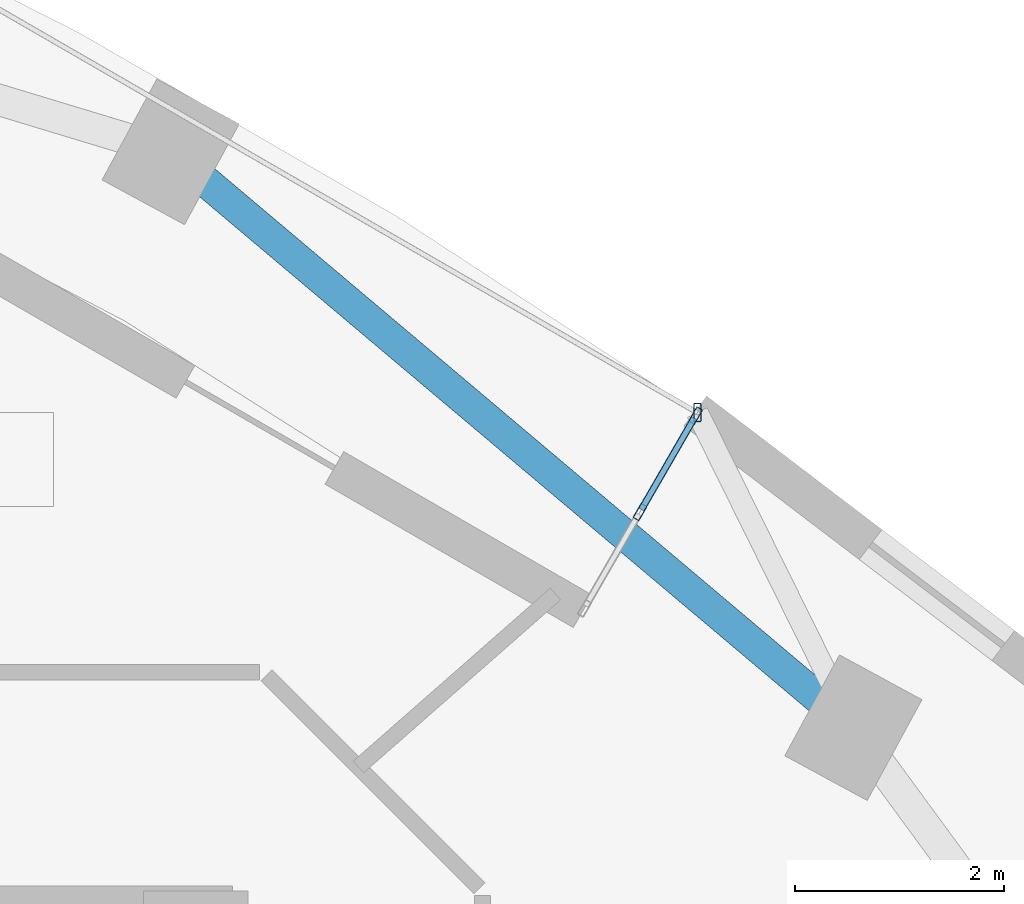
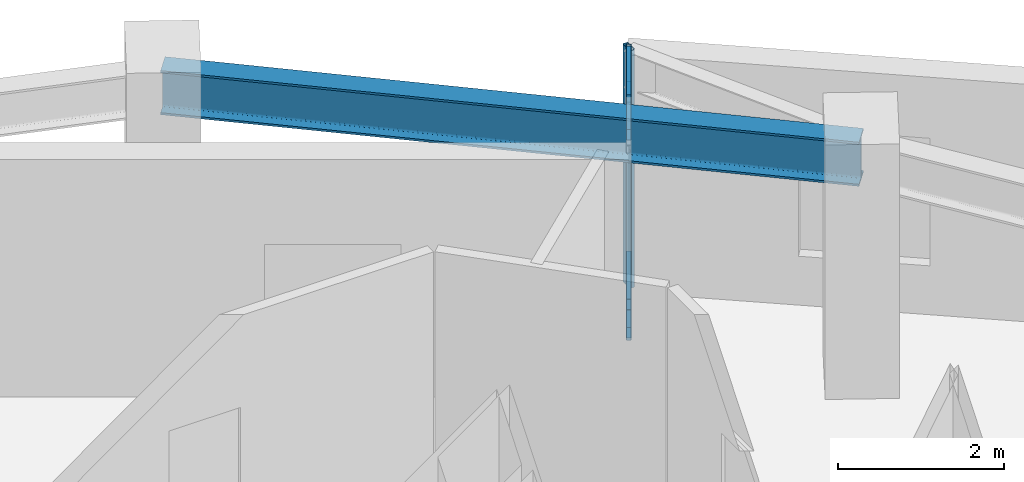
# One storey, part 5 of 14: 7 members, 1 beam, 1 element without a shape of its own.
"""IFC4 building model written with IfcOpenShell, lengths in metres."""

from ifc_helpers import new_model, si_unit, direction, frame, origin, origin_2d, place, context, subcontext, project, spatial, hollow_rectangle, i_section, extrude, material, layer, layer_set, material_profile, profile_set, type_object, element, aggregate, save


model = new_model("IFC4")

# Units and contexts
model_context = context("Model", 3, precision=1e-05, world=origin(), true_north=direction((0.0, 1.0)))
body_context = subcontext(model_context, "Body", "Model", "MODEL_VIEW")
ifc_project = project(units=[si_unit("LENGTHUNIT", "METRE"), si_unit("AREAUNIT", "SQUARE_METRE"), si_unit("VOLUMEUNIT", "CUBIC_METRE"), si_unit("PLANEANGLEUNIT", "RADIAN"), si_unit("MASSUNIT", "GRAM", prefix="KILO")], contexts=[model_context])

# Site, building, storey
site_placement = place(None, origin())
site = spatial("IfcSite", under=ifc_project, at=site_placement, CompositionType="ELEMENT")
building_placement = place(site_placement, origin())
building = spatial("IfcBuilding", under=site, at=building_placement, Name="Ndelora Gate Hotel", CompositionType="ELEMENT")
storey_placement = place(building_placement, frame((0.0, 0.0, 127.25)))
storey = spatial("IfcBuildingStorey", under=building, at=storey_placement, Name="L31", CompositionType="ELEMENT", Elevation=127.25)

# Beam
ifc_material_1 = material(Name="Steel S355", Category="steel")
ifc_material_profile_1 = material_profile(ifc_material_1, i_section(OverallWidth=0.300048828125, OverallDepth=0.64990234375, WebThickness=0.01611328125, FlangeThickness=0.031005859375, FilletRadius=0.027099609375, at=origin_2d()), Name="HEB 650")
ifc_profile_set_1 = profile_set([ifc_material_profile_1], Name="Steel S355")
beam_type = type_object("IfcBeamType", Name="BM-RING-650", PredefinedType="SPANDREL", material=ifc_profile_set_1)
beam_placement = place(storey_placement, frame((14.30712890625, 8.767333984375, 3.175048828125), z_axis=(-0.76440691948, 0.644734101356, 0.0), x_axis=(-0.644734101356, -0.76440691948, 0.0)))
element("IfcBeam", 1, at=beam_placement, inside=storey, type_object=beam_type, Name="L31 Perimeter Spandrel Girder 10", PredefinedType="SPANDREL", context=body_context, shape_type="SweptSolid", body=[
    extrude(i_section(OverallWidth=0.300048828125, OverallDepth=0.64990234375, WebThickness=0.01611328125, FlangeThickness=0.031005859375, FilletRadius=0.027099609375, at=origin_2d()), origin(), (0.0, 0.0, 1.0), 8.566162109375),
])

# Curtain wall, members
ifc_material_2 = material(Name="Bronze Anodised Unitised Aluminium and Low-E Glass", Category="aluminium")
ifc_layer = layer(ifc_material_2, 0.199951171875)
ifc_layer_set = layer_set([ifc_layer], Name="Bronze Anodised Unitised Aluminium and Low-E Glass")
curtain_wall_type = type_object("IfcCurtainWallType", Name="CW-SYS-3", PredefinedType="NOTDEFINED", material=ifc_layer_set)
curtain_wall_placement = place(storey_placement, origin())
curtain_wall = element("IfcCurtainWall", 2, at=curtain_wall_placement, inside=storey, type_object=curtain_wall_type, Name="L31 Sky-Garden Loggia Side Curtain Wall CW3-1", PredefinedType="NOTDEFINED")
ifc_material_3 = material(Name="Bronze Anodised Aluminium 6063-T6", Category="aluminium")
ifc_material_profile_2 = material_profile(ifc_material_3, hollow_rectangle(XDim=0.06494140625, YDim=0.159912109375, WallThickness=0.00390625, InnerFilletRadius=0.00390625, OuterFilletRadius=0.008056640625, at=origin_2d()), Name="ALU 160x65x4")
ifc_profile_set_2 = profile_set([ifc_material_profile_2], Name="Bronze Anodised Aluminium 6063-T6")
member_type_1 = type_object("IfcMemberType", Name="MB-CW-MUL150", PredefinedType="MULLION", material=ifc_profile_set_2)
member_1_placement = place(storey_placement, frame((12.260986328125, 10.8369140625, -0.00390625), z_axis=(0.0, 0.0, 1.0), x_axis=(-0.866019052627, 0.500011000366, 0.0)))
member_1 = element("IfcMember", 3, at=member_1_placement, type_object=member_type_1, Name="CW3 mullion 2", PredefinedType="MULLION", context=body_context, shape_type="SweptSolid", body=[
    extrude(hollow_rectangle(XDim=0.06494140625, YDim=0.159912109375, WallThickness=0.00390625, InnerFilletRadius=0.00390625, OuterFilletRadius=0.008056640625, at=origin_2d()), origin(), (0.0, 0.0, 1.0), 3.5078125),
])
member_2_placement = place(storey_placement, frame((12.794921875, 11.761474609375, -0.00390625), z_axis=(0.0, 0.0, 1.0), x_axis=(-0.866019052627, 0.500011000366, 0.0)))
member_2 = element("IfcMember", 4, at=member_2_placement, type_object=member_type_1, Name="CW3 mullion 3", PredefinedType="MULLION", context=body_context, shape_type="SweptSolid", body=[
    extrude(hollow_rectangle(XDim=0.06494140625, YDim=0.159912109375, WallThickness=0.00390625, InnerFilletRadius=0.00390625, OuterFilletRadius=0.008056640625, at=origin_2d()), origin(), (0.0, 0.0, 1.0), 3.5078125),
])
ifc_material_profile_3 = material_profile(ifc_material_3, hollow_rectangle(XDim=0.070068359375, YDim=0.179931640625, WallThickness=0.0048828125, InnerFilletRadius=0.0048828125, OuterFilletRadius=0.010009765625, at=origin_2d()), Name="ALU 180x70x5")
ifc_profile_set_3 = profile_set([ifc_material_profile_3], Name="Bronze Anodised Aluminium 6063-T6")
member_type_2 = type_object("IfcMemberType", Name="MB-CW-MUL180", PredefinedType="MULLION", material=ifc_profile_set_3)
member_3_placement = place(storey_placement, frame((12.81103515625, 11.78955078125, 0.0), z_axis=(0.0, 0.0, 1.0), x_axis=(1.0, 0.0, 0.0)))
member_3 = element("IfcMember", 5, at=member_3_placement, type_object=member_type_2, Name="L31 Sky-Garden Loggia Corner Mullion Post 1", PredefinedType="MULLION", context=body_context, shape_type="SweptSolid", body=[
    extrude(hollow_rectangle(XDim=0.070068359375, YDim=0.179931640625, WallThickness=0.0048828125, InnerFilletRadius=0.0048828125, OuterFilletRadius=0.010009765625, at=origin_2d()), origin(), (0.0, 0.0, 1.0), 3.5),
])
ifc_material_profile_4 = material_profile(ifc_material_3, hollow_rectangle(XDim=0.06494140625, YDim=0.159912109375, WallThickness=0.00390625, InnerFilletRadius=0.00390625, OuterFilletRadius=0.008056640625, at=origin_2d()), Name="ALU 160x65x4")
ifc_profile_set_4 = profile_set([ifc_material_profile_4], Name="Bronze Anodised Aluminium 6063-T6")
member_type_3 = type_object("IfcMemberType", Name="MB-CW-TRN150", PredefinedType="USERDEFINED", material=ifc_profile_set_4)
member_4_placement = place(storey_placement, frame((12.2744140625, 10.85986328125, 0.032470703125), z_axis=(0.499840506035, 0.866117468088, 0.0), x_axis=(-0.866117468088, 0.499840506035, 0.0)))
member_4 = element("IfcMember", 6, at=member_4_placement, type_object=member_type_3, Name="CW3 transom 2.1", ObjectType="TRANSOM", PredefinedType="USERDEFINED", context=body_context, shape_type="SweptSolid", body=[
    extrude(hollow_rectangle(XDim=0.06494140625, YDim=0.159912109375, WallThickness=0.00390625, InnerFilletRadius=0.00390625, OuterFilletRadius=0.008056640625, at=origin_2d()), origin(), (0.0, 0.0, 1.0), 1.014404296875),
])
member_5_placement = place(storey_placement, frame((12.2744140625, 10.85986328125, 0.449951171875), z_axis=(0.499840506035, 0.866117468088, 0.0), x_axis=(-0.866117468088, 0.499840506035, 0.0)))
member_5 = element("IfcMember", 7, at=member_5_placement, type_object=member_type_3, Name="CW3 transom 2.2", ObjectType="TRANSOM", PredefinedType="USERDEFINED", context=body_context, shape_type="SweptSolid", body=[
    extrude(hollow_rectangle(XDim=0.06494140625, YDim=0.159912109375, WallThickness=0.00390625, InnerFilletRadius=0.00390625, OuterFilletRadius=0.008056640625, at=origin_2d()), origin(), (0.0, 0.0, 1.0), 1.014404296875),
])
member_6_placement = place(storey_placement, frame((12.2744140625, 10.85986328125, 2.949951171875), z_axis=(0.499840506035, 0.866117468088, 0.0), x_axis=(-0.866117468088, 0.499840506035, 0.0)))
member_6 = element("IfcMember", 8, at=member_6_placement, type_object=member_type_3, Name="CW3 transom 2.3", ObjectType="TRANSOM", PredefinedType="USERDEFINED", context=body_context, shape_type="SweptSolid", body=[
    extrude(hollow_rectangle(XDim=0.06494140625, YDim=0.159912109375, WallThickness=0.00390625, InnerFilletRadius=0.00390625, OuterFilletRadius=0.008056640625, at=origin_2d()), origin(), (0.0, 0.0, 1.0), 1.014404296875),
])
member_7_placement = place(storey_placement, frame((12.2744140625, 10.85986328125, 3.467529296875), z_axis=(0.499840506035, 0.866117468088, 0.0), x_axis=(-0.866117468088, 0.499840506035, 0.0)))
member_7 = element("IfcMember", 9, at=member_7_placement, type_object=member_type_3, Name="CW3 transom 2.4", ObjectType="TRANSOM", PredefinedType="USERDEFINED", context=body_context, shape_type="SweptSolid", body=[
    extrude(hollow_rectangle(XDim=0.06494140625, YDim=0.159912109375, WallThickness=0.00390625, InnerFilletRadius=0.00390625, OuterFilletRadius=0.008056640625, at=origin_2d()), origin(), (0.0, 0.0, 1.0), 1.014404296875),
])
aggregate(curtain_wall, [member_1, member_2, member_4, member_5, member_6, member_7, member_3])

save(model, "model.ifc")
